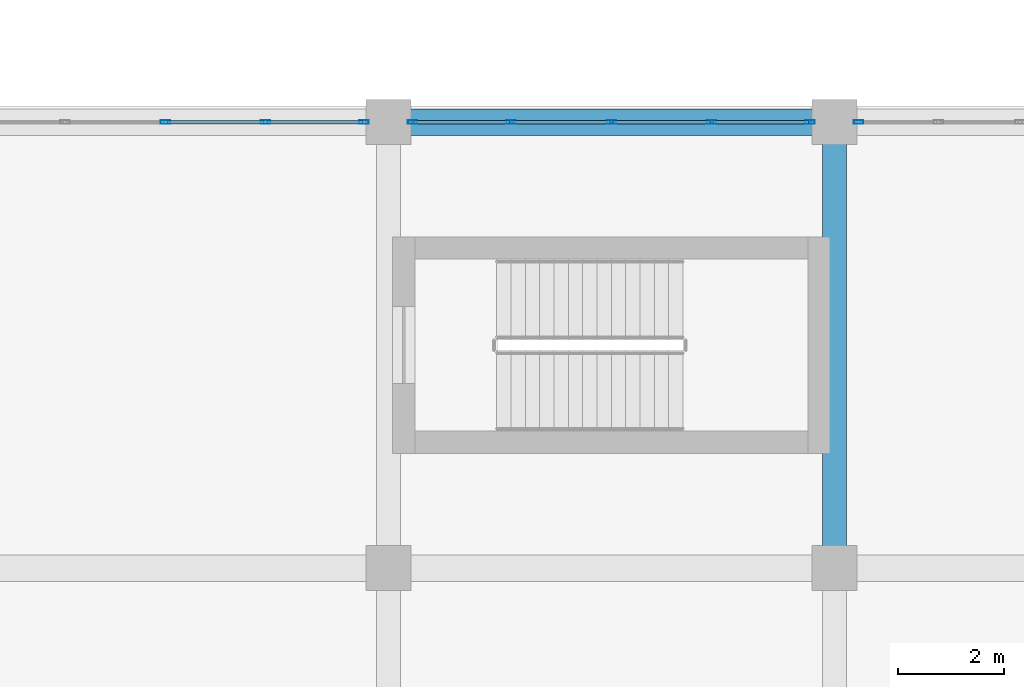
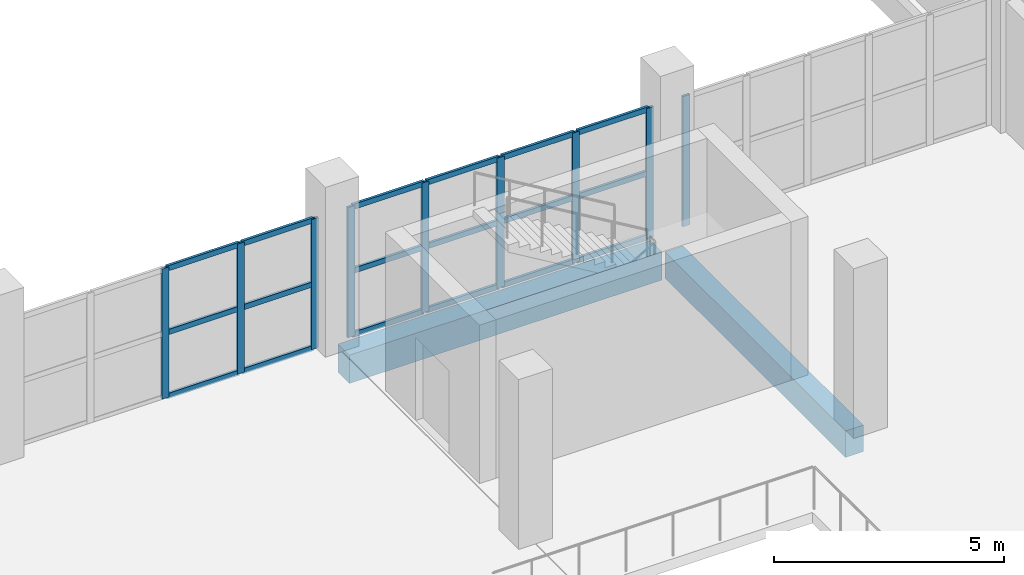
# One storey, part 69 of 137: 27 members, 2 beams, 3 elements without a shape of their own.
"""IFC4 building model written with IfcOpenShell, lengths in metres."""

from ifc_helpers import new_model, si_unit, direction, frame, origin, origin_2d, place, context, subcontext, project, spatial, rectangle, hollow_rectangle, extrude, material, layer, layer_set, material_profile, profile_set, type_object, element, aggregate, save


model = new_model("IFC4")

# Units and contexts
model_context = context("Model", 3, precision=1e-05, world=origin(), true_north=direction((0.0, 1.0)))
body_context = subcontext(model_context, "Body", "Model", "MODEL_VIEW")
ifc_project = project(units=[si_unit("LENGTHUNIT", "METRE"), si_unit("AREAUNIT", "SQUARE_METRE"), si_unit("VOLUMEUNIT", "CUBIC_METRE"), si_unit("PLANEANGLEUNIT", "RADIAN"), si_unit("MASSUNIT", "GRAM", prefix="KILO")], contexts=[model_context])

# Site, building, storey
site_placement = place(None, origin())
site = spatial("IfcSite", under=ifc_project, at=site_placement, CompositionType="ELEMENT")
building_placement = place(site_placement, origin())
building = spatial("IfcBuilding", under=site, at=building_placement, Name="Xazarin Passage Department Store", CompositionType="ELEMENT")
storey_placement = place(building_placement, frame((0.0, 0.0, 5.39990234375)))
storey = spatial("IfcBuildingStorey", under=building, at=storey_placement, Name="L01", CompositionType="ELEMENT", Elevation=5.39990234375)

# Curtain wall, members
ifc_material_1 = material(Name="Bronze anodised aluminium", Category="aluminium")
ifc_layer = layer(ifc_material_1, 0.169921875)
ifc_layer_set = layer_set([ifc_layer], Name="Bronze anodised aluminium")
curtain_wall_type = type_object("IfcCurtainWallType", Name="ARC-CW-ARC2", PredefinedType="NOTDEFINED", material=ifc_layer_set)
curtain_wall_1_placement = place(storey_placement, origin())
curtain_wall_1 = element("IfcCurtainWall", 1, at=curtain_wall_1_placement, inside=storey, type_object=curtain_wall_type, Name="L01 V2N Curtain Wall 111", PredefinedType="NOTDEFINED")
ifc_material_profile_1 = material_profile(ifc_material_1, hollow_rectangle(XDim=0.06494140625, YDim=0.179931640625, WallThickness=0.00390625, at=origin_2d()), Name="ALU 65x180")
ifc_profile_set_1 = profile_set([ifc_material_profile_1], Name="Bronze anodised aluminium")
member_type_1 = type_object("IfcMemberType", Name="ARC-CWM-65x180", PredefinedType="MULLION", material=ifc_profile_set_1)
member_1_placement = place(storey_placement, frame((80.60009765625, 93.199951171875, 0.0), z_axis=(0.0, 0.0, 1.0), x_axis=(0.0, 1.0, 0.0)))
member_1 = element("IfcMember", 2, at=member_1_placement, type_object=member_type_1, Name="CW4 mullion 3", PredefinedType="MULLION", context=body_context, shape_type="SweptSolid", body=[
    extrude(hollow_rectangle(XDim=0.06494140625, YDim=0.179931640625, WallThickness=0.00390625, at=origin_2d()), origin(), (0.0, 0.0, 1.0), 3.4501953125),
])
member_2_placement = place(storey_placement, frame((82.487548828125, 93.199951171875, 0.0), z_axis=(0.0, 0.0, 1.0), x_axis=(0.0, 1.0, 0.0)))
member_2 = element("IfcMember", 3, at=member_2_placement, type_object=member_type_1, Name="CW4 mullion 4", PredefinedType="MULLION", context=body_context, shape_type="SweptSolid", body=[
    extrude(hollow_rectangle(XDim=0.06494140625, YDim=0.179931640625, WallThickness=0.00390625, at=origin_2d()), origin(), (0.0, 0.0, 1.0), 3.4501953125),
])
member_3_placement = place(storey_placement, frame((84.342529296875, 93.199951171875, 0.0), z_axis=(0.0, 0.0, 1.0), x_axis=(0.0, 1.0, 0.0)))
member_3 = element("IfcMember", 4, at=member_3_placement, type_object=member_type_1, Name="CW4 mullion 5", PredefinedType="MULLION", context=body_context, shape_type="SweptSolid", body=[
    extrude(hollow_rectangle(XDim=0.06494140625, YDim=0.179931640625, WallThickness=0.00390625, at=origin_2d()), origin(), (0.0, 0.0, 1.0), 3.4501953125),
])

curtain_wall_2_placement = place(storey_placement, origin())
curtain_wall_2 = element("IfcCurtainWall", 5, at=curtain_wall_2_placement, inside=storey, type_object=curtain_wall_type, Name="L01 V2N Curtain Wall 112", PredefinedType="NOTDEFINED")
member_4_placement = place(storey_placement, frame((85.257568359375, 93.199951171875, 0.0), z_axis=(0.0, 0.0, 1.0), x_axis=(0.0, 1.0, 0.0)))
member_4 = element("IfcMember", 6, at=member_4_placement, type_object=member_type_1, Name="CW4 mullion 1", PredefinedType="MULLION", context=body_context, shape_type="SweptSolid", body=[
    extrude(hollow_rectangle(XDim=0.06494140625, YDim=0.179931640625, WallThickness=0.00390625, at=origin_2d()), origin(), (0.0, 0.0, 1.0), 3.4501953125),
])
member_5_placement = place(storey_placement, frame((87.112548828125, 93.199951171875, 0.0), z_axis=(0.0, 0.0, 1.0), x_axis=(0.0, 1.0, 0.0)))
member_5 = element("IfcMember", 7, at=member_5_placement, type_object=member_type_1, Name="CW4 mullion 2", PredefinedType="MULLION", context=body_context, shape_type="SweptSolid", body=[
    extrude(hollow_rectangle(XDim=0.06494140625, YDim=0.179931640625, WallThickness=0.00390625, at=origin_2d()), origin(), (0.0, 0.0, 1.0), 3.4501953125),
])
member_6_placement = place(storey_placement, frame((89.0, 93.199951171875, 0.0), z_axis=(0.0, 0.0, 1.0), x_axis=(0.0, 1.0, 0.0)))
member_6 = element("IfcMember", 8, at=member_6_placement, type_object=member_type_1, Name="CW4 mullion 3", PredefinedType="MULLION", context=body_context, shape_type="SweptSolid", body=[
    extrude(hollow_rectangle(XDim=0.06494140625, YDim=0.179931640625, WallThickness=0.00390625, at=origin_2d()), origin(), (0.0, 0.0, 1.0), 3.4501953125),
])
member_7_placement = place(storey_placement, frame((90.887451171875, 93.199951171875, 0.0), z_axis=(0.0, 0.0, 1.0), x_axis=(0.0, 1.0, 0.0)))
member_7 = element("IfcMember", 9, at=member_7_placement, type_object=member_type_1, Name="CW4 mullion 4", PredefinedType="MULLION", context=body_context, shape_type="SweptSolid", body=[
    extrude(hollow_rectangle(XDim=0.06494140625, YDim=0.179931640625, WallThickness=0.00390625, at=origin_2d()), origin(), (0.0, 0.0, 1.0), 3.4501953125),
])
member_8_placement = place(storey_placement, frame((92.742431640625, 93.199951171875, 0.0), z_axis=(0.0, 0.0, 1.0), x_axis=(0.0, 1.0, 0.0)))
member_8 = element("IfcMember", 10, at=member_8_placement, type_object=member_type_1, Name="CW4 mullion 5", PredefinedType="MULLION", context=body_context, shape_type="SweptSolid", body=[
    extrude(hollow_rectangle(XDim=0.06494140625, YDim=0.179931640625, WallThickness=0.00390625, at=origin_2d()), origin(), (0.0, 0.0, 1.0), 3.4501953125),
])

# Curtain wall, member
curtain_wall_3_placement = place(storey_placement, origin())
curtain_wall_3 = element("IfcCurtainWall", 11, at=curtain_wall_3_placement, inside=storey, type_object=curtain_wall_type, Name="L01 V2N Curtain Wall 113", PredefinedType="NOTDEFINED")
member_9_placement = place(storey_placement, frame((93.657470703125, 93.199951171875, 0.0), z_axis=(0.0, 0.0, 1.0), x_axis=(0.0, 1.0, 0.0)))
member_9 = element("IfcMember", 12, at=member_9_placement, type_object=member_type_1, Name="CW4 mullion 1", PredefinedType="MULLION", context=body_context, shape_type="SweptSolid", body=[
    extrude(hollow_rectangle(XDim=0.06494140625, YDim=0.179931640625, WallThickness=0.00390625, at=origin_2d()), origin(), (0.0, 0.0, 1.0), 3.4501953125),
])
aggregate(curtain_wall_3, [member_9])

# Member
ifc_material_profile_2 = material_profile(ifc_material_1, hollow_rectangle(XDim=0.06494140625, YDim=0.139892578125, WallThickness=0.00390625, at=origin_2d()), Name="ALU 65x140")
ifc_profile_set_2 = profile_set([ifc_material_profile_2], Name="Bronze anodised aluminium")
member_type_2 = type_object("IfcMemberType", Name="ARC-CWT-65x140", PredefinedType="USERDEFINED", material=ifc_profile_set_2)
member_10_placement = place(storey_placement, frame((80.632568359375, 93.199951171875, 0.03271484375), z_axis=(1.0, 0.0, 0.0), x_axis=(0.0, 1.0, 0.0)))
member_10 = element("IfcMember", 13, at=member_10_placement, type_object=member_type_2, Name="CW4 transom 3.1", ObjectType="TRANSOM", PredefinedType="USERDEFINED", context=body_context, shape_type="SweptSolid", body=[
    extrude(hollow_rectangle(XDim=0.06494140625, YDim=0.139892578125, WallThickness=0.00390625, at=origin_2d()), origin(), (0.0, 0.0, 1.0), 1.822509765625),
])

member_11_placement = place(storey_placement, frame((80.632568359375, 93.199951171875, 1.72509765625), z_axis=(1.0, 0.0, 0.0), x_axis=(0.0, 1.0, 0.0)))
member_11 = element("IfcMember", 14, at=member_11_placement, type_object=member_type_2, Name="CW4 transom 3.2", ObjectType="TRANSOM", PredefinedType="USERDEFINED", context=body_context, shape_type="SweptSolid", body=[
    extrude(hollow_rectangle(XDim=0.06494140625, YDim=0.139892578125, WallThickness=0.00390625, at=origin_2d()), origin(), (0.0, 0.0, 1.0), 1.822509765625),
])

member_12_placement = place(storey_placement, frame((80.632568359375, 93.199951171875, 3.41748046875), z_axis=(1.0, 0.0, 0.0), x_axis=(0.0, 1.0, 0.0)))
member_12 = element("IfcMember", 15, at=member_12_placement, type_object=member_type_2, Name="CW4 transom 3.3", ObjectType="TRANSOM", PredefinedType="USERDEFINED", context=body_context, shape_type="SweptSolid", body=[
    extrude(hollow_rectangle(XDim=0.06494140625, YDim=0.139892578125, WallThickness=0.00390625, at=origin_2d()), origin(), (0.0, 0.0, 1.0), 1.822509765625),
])

member_13_placement = place(storey_placement, frame((82.52001953125, 93.199951171875, 0.03271484375), z_axis=(1.0, 0.0, 0.0), x_axis=(0.0, 1.0, 0.0)))
member_13 = element("IfcMember", 16, at=member_13_placement, type_object=member_type_2, Name="CW4 transom 4.1", ObjectType="TRANSOM", PredefinedType="USERDEFINED", context=body_context, shape_type="SweptSolid", body=[
    extrude(hollow_rectangle(XDim=0.06494140625, YDim=0.139892578125, WallThickness=0.00390625, at=origin_2d()), origin(), (0.0, 0.0, 1.0), 1.7900390625),
])

member_14_placement = place(storey_placement, frame((82.52001953125, 93.199951171875, 1.72509765625), z_axis=(1.0, 0.0, 0.0), x_axis=(0.0, 1.0, 0.0)))
member_14 = element("IfcMember", 17, at=member_14_placement, type_object=member_type_2, Name="CW4 transom 4.2", ObjectType="TRANSOM", PredefinedType="USERDEFINED", context=body_context, shape_type="SweptSolid", body=[
    extrude(hollow_rectangle(XDim=0.06494140625, YDim=0.139892578125, WallThickness=0.00390625, at=origin_2d()), origin(), (0.0, 0.0, 1.0), 1.7900390625),
])

member_15_placement = place(storey_placement, frame((82.52001953125, 93.199951171875, 3.41748046875), z_axis=(1.0, 0.0, 0.0), x_axis=(0.0, 1.0, 0.0)))
member_15 = element("IfcMember", 18, at=member_15_placement, type_object=member_type_2, Name="CW4 transom 4.3", ObjectType="TRANSOM", PredefinedType="USERDEFINED", context=body_context, shape_type="SweptSolid", body=[
    extrude(hollow_rectangle(XDim=0.06494140625, YDim=0.139892578125, WallThickness=0.00390625, at=origin_2d()), origin(), (0.0, 0.0, 1.0), 1.7900390625),
])

aggregate(curtain_wall_1, [member_1, member_2, member_3, member_10, member_11, member_12, member_13, member_14, member_15])

member_16_placement = place(storey_placement, frame((85.2900390625, 93.199951171875, 0.03271484375), z_axis=(1.0, 0.0, 0.0), x_axis=(0.0, 1.0, 0.0)))
member_16 = element("IfcMember", 19, at=member_16_placement, type_object=member_type_2, Name="CW4 transom 1.1", ObjectType="TRANSOM", PredefinedType="USERDEFINED", context=body_context, shape_type="SweptSolid", body=[
    extrude(hollow_rectangle(XDim=0.06494140625, YDim=0.139892578125, WallThickness=0.00390625, at=origin_2d()), origin(), (0.0, 0.0, 1.0), 1.7900390625),
])

member_17_placement = place(storey_placement, frame((85.2900390625, 93.199951171875, 1.72509765625), z_axis=(1.0, 0.0, 0.0), x_axis=(0.0, 1.0, 0.0)))
member_17 = element("IfcMember", 20, at=member_17_placement, type_object=member_type_2, Name="CW4 transom 1.2", ObjectType="TRANSOM", PredefinedType="USERDEFINED", context=body_context, shape_type="SweptSolid", body=[
    extrude(hollow_rectangle(XDim=0.06494140625, YDim=0.139892578125, WallThickness=0.00390625, at=origin_2d()), origin(), (0.0, 0.0, 1.0), 1.7900390625),
])

member_18_placement = place(storey_placement, frame((85.2900390625, 93.199951171875, 3.41748046875), z_axis=(1.0, 0.0, 0.0), x_axis=(0.0, 1.0, 0.0)))
member_18 = element("IfcMember", 21, at=member_18_placement, type_object=member_type_2, Name="CW4 transom 1.3", ObjectType="TRANSOM", PredefinedType="USERDEFINED", context=body_context, shape_type="SweptSolid", body=[
    extrude(hollow_rectangle(XDim=0.06494140625, YDim=0.139892578125, WallThickness=0.00390625, at=origin_2d()), origin(), (0.0, 0.0, 1.0), 1.7900390625),
])

member_19_placement = place(storey_placement, frame((87.14501953125, 93.199951171875, 0.03271484375), z_axis=(1.0, 0.0, 0.0), x_axis=(0.0, 1.0, 0.0)))
member_19 = element("IfcMember", 22, at=member_19_placement, type_object=member_type_2, Name="CW4 transom 2.1", ObjectType="TRANSOM", PredefinedType="USERDEFINED", context=body_context, shape_type="SweptSolid", body=[
    extrude(hollow_rectangle(XDim=0.06494140625, YDim=0.139892578125, WallThickness=0.00390625, at=origin_2d()), origin(), (0.0, 0.0, 1.0), 1.822509765625),
])

member_20_placement = place(storey_placement, frame((87.14501953125, 93.199951171875, 1.72509765625), z_axis=(1.0, 0.0, 0.0), x_axis=(0.0, 1.0, 0.0)))
member_20 = element("IfcMember", 23, at=member_20_placement, type_object=member_type_2, Name="CW4 transom 2.2", ObjectType="TRANSOM", PredefinedType="USERDEFINED", context=body_context, shape_type="SweptSolid", body=[
    extrude(hollow_rectangle(XDim=0.06494140625, YDim=0.139892578125, WallThickness=0.00390625, at=origin_2d()), origin(), (0.0, 0.0, 1.0), 1.822509765625),
])

member_21_placement = place(storey_placement, frame((87.14501953125, 93.199951171875, 3.41748046875), z_axis=(1.0, 0.0, 0.0), x_axis=(0.0, 1.0, 0.0)))
member_21 = element("IfcMember", 24, at=member_21_placement, type_object=member_type_2, Name="CW4 transom 2.3", ObjectType="TRANSOM", PredefinedType="USERDEFINED", context=body_context, shape_type="SweptSolid", body=[
    extrude(hollow_rectangle(XDim=0.06494140625, YDim=0.139892578125, WallThickness=0.00390625, at=origin_2d()), origin(), (0.0, 0.0, 1.0), 1.822509765625),
])

member_22_placement = place(storey_placement, frame((89.032470703125, 93.199951171875, 0.03271484375), z_axis=(1.0, 0.0, 0.0), x_axis=(0.0, 1.0, 0.0)))
member_22 = element("IfcMember", 25, at=member_22_placement, type_object=member_type_2, Name="CW4 transom 3.1", ObjectType="TRANSOM", PredefinedType="USERDEFINED", context=body_context, shape_type="SweptSolid", body=[
    extrude(hollow_rectangle(XDim=0.06494140625, YDim=0.139892578125, WallThickness=0.00390625, at=origin_2d()), origin(), (0.0, 0.0, 1.0), 1.822509765625),
])

member_23_placement = place(storey_placement, frame((89.032470703125, 93.199951171875, 1.72509765625), z_axis=(1.0, 0.0, 0.0), x_axis=(0.0, 1.0, 0.0)))
member_23 = element("IfcMember", 26, at=member_23_placement, type_object=member_type_2, Name="CW4 transom 3.2", ObjectType="TRANSOM", PredefinedType="USERDEFINED", context=body_context, shape_type="SweptSolid", body=[
    extrude(hollow_rectangle(XDim=0.06494140625, YDim=0.139892578125, WallThickness=0.00390625, at=origin_2d()), origin(), (0.0, 0.0, 1.0), 1.822509765625),
])

member_24_placement = place(storey_placement, frame((89.032470703125, 93.199951171875, 3.41748046875), z_axis=(1.0, 0.0, 0.0), x_axis=(0.0, 1.0, 0.0)))
member_24 = element("IfcMember", 27, at=member_24_placement, type_object=member_type_2, Name="CW4 transom 3.3", ObjectType="TRANSOM", PredefinedType="USERDEFINED", context=body_context, shape_type="SweptSolid", body=[
    extrude(hollow_rectangle(XDim=0.06494140625, YDim=0.139892578125, WallThickness=0.00390625, at=origin_2d()), origin(), (0.0, 0.0, 1.0), 1.822509765625),
])

member_25_placement = place(storey_placement, frame((90.919921875, 93.199951171875, 0.03271484375), z_axis=(1.0, 0.0, 0.0), x_axis=(0.0, 1.0, 0.0)))
member_25 = element("IfcMember", 28, at=member_25_placement, type_object=member_type_2, Name="CW4 transom 4.1", ObjectType="TRANSOM", PredefinedType="USERDEFINED", context=body_context, shape_type="SweptSolid", body=[
    extrude(hollow_rectangle(XDim=0.06494140625, YDim=0.139892578125, WallThickness=0.00390625, at=origin_2d()), origin(), (0.0, 0.0, 1.0), 1.7900390625),
])

member_26_placement = place(storey_placement, frame((90.919921875, 93.199951171875, 1.72509765625), z_axis=(1.0, 0.0, 0.0), x_axis=(0.0, 1.0, 0.0)))
member_26 = element("IfcMember", 29, at=member_26_placement, type_object=member_type_2, Name="CW4 transom 4.2", ObjectType="TRANSOM", PredefinedType="USERDEFINED", context=body_context, shape_type="SweptSolid", body=[
    extrude(hollow_rectangle(XDim=0.06494140625, YDim=0.139892578125, WallThickness=0.00390625, at=origin_2d()), origin(), (0.0, 0.0, 1.0), 1.7900390625),
])

member_27_placement = place(storey_placement, frame((90.919921875, 93.199951171875, 3.41748046875), z_axis=(1.0, 0.0, 0.0), x_axis=(0.0, 1.0, 0.0)))
member_27 = element("IfcMember", 30, at=member_27_placement, type_object=member_type_2, Name="CW4 transom 4.3", ObjectType="TRANSOM", PredefinedType="USERDEFINED", context=body_context, shape_type="SweptSolid", body=[
    extrude(hollow_rectangle(XDim=0.06494140625, YDim=0.139892578125, WallThickness=0.00390625, at=origin_2d()), origin(), (0.0, 0.0, 1.0), 1.7900390625),
])

aggregate(curtain_wall_2, [member_4, member_5, member_6, member_7, member_8, member_16, member_17, member_18, member_19, member_20, member_21, member_22, member_23, member_24, member_25, member_26, member_27])

# Beams
ifc_material_2 = material(Name="Concrete C35/45", Category="concrete")
ifc_material_profile_3 = material_profile(ifc_material_2, rectangle(XDim=0.449951171875, YDim=0.699951171875, at=origin_2d()), Name="RC 450x700")
ifc_profile_set_3 = profile_set([ifc_material_profile_3], Name="Concrete C35/45")
beam_type_1 = type_object("IfcBeamType", Name="STR-BM-G450x700", PredefinedType="BEAM", material=ifc_profile_set_3)
beam_1_placement = place(storey_placement, frame((93.199951171875, 85.080078125, -0.64990234375), z_axis=(0.0, 1.0, 0.0), x_axis=(-1.0, 0.0, 0.0)))
element("IfcBeam", 31, at=beam_1_placement, inside=storey, type_object=beam_type_1, Name="L01 Grid Beam 13/M-N", PredefinedType="BEAM", context=body_context, shape_type="SweptSolid", body=[
    extrude(rectangle(XDim=0.449951171875, YDim=0.699951171875, at=origin_2d()), origin(), (0.0, 0.0, 1.0), 7.83984375),
])
ifc_material_profile_4 = material_profile(ifc_material_2, rectangle(XDim=0.5, YDim=0.75, at=origin_2d()), Name="RC 500x750")
ifc_profile_set_4 = profile_set([ifc_material_profile_4], Name="Concrete C35/45")
beam_type_2 = type_object("IfcBeamType", Name="STR-BM-SP500x750", PredefinedType="SPANDREL", material=ifc_profile_set_4)
beam_2_placement = place(storey_placement, frame((85.080078125, 93.199951171875, -0.6748046875), z_axis=(1.0, 0.0, 0.0), x_axis=(0.0, 1.0, 0.0)))
element("IfcBeam", 32, at=beam_2_placement, inside=storey, type_object=beam_type_2, Name="L01 Grid Beam N/12-13", PredefinedType="SPANDREL", context=body_context, shape_type="SweptSolid", body=[
    extrude(rectangle(XDim=0.5, YDim=0.75, at=origin_2d()), origin(), (0.0, 0.0, 1.0), 7.83984375),
])

save(model, "model.ifc")
